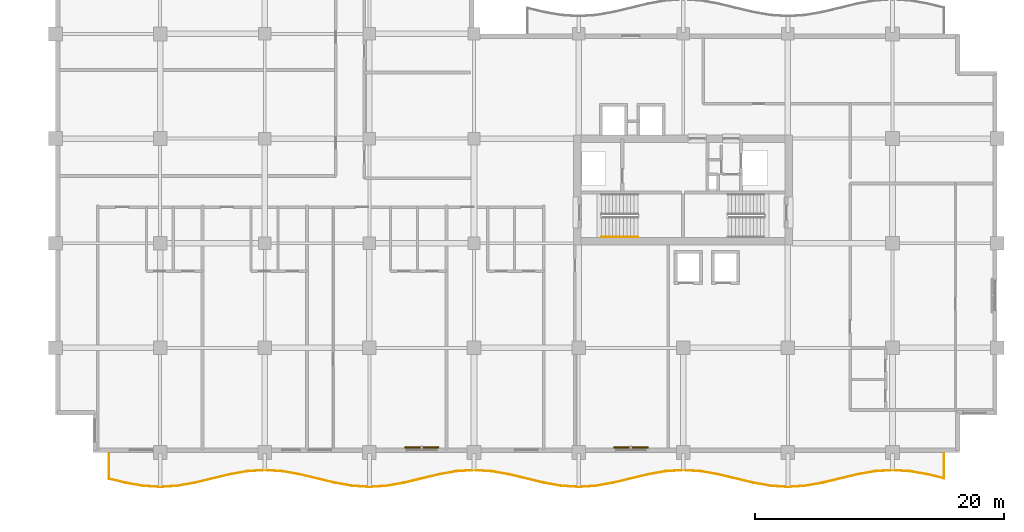
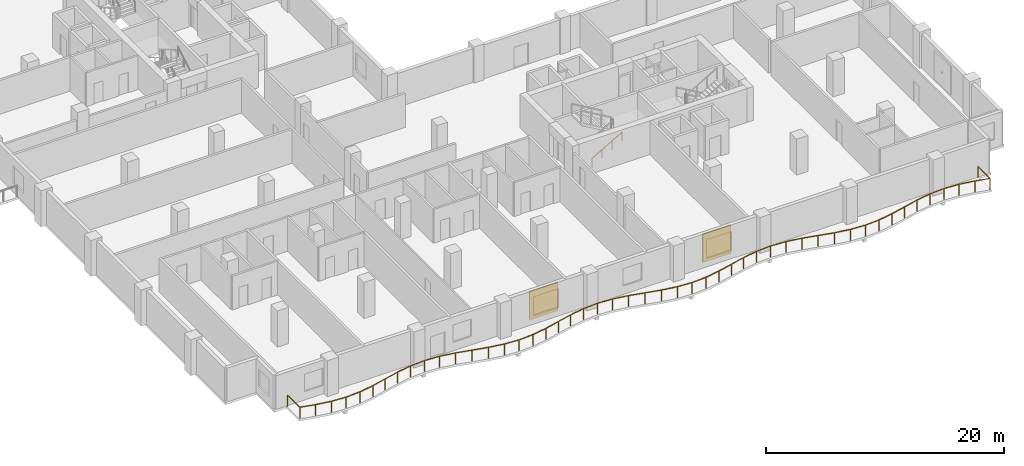
# One storey, part 15 of 18: 2 railings, 2 shading devices.
"""IFC4 building model written with IfcOpenShell, lengths in metres."""

from ifc_helpers import new_model, si_unit, direction, frame, origin, origin_2d, place, context, subcontext, project, spatial, rectangle, circle, extrude, material, layer, layer_set, type_object, element, save


model = new_model("IFC4")

# Units and contexts
model_context = context("Model", 3, precision=1e-05, world=origin(), true_north=direction((0.0, 1.0)))
body_context = subcontext(model_context, "Body", "Model", "MODEL_VIEW")
ifc_project = project(units=[si_unit("LENGTHUNIT", "METRE"), si_unit("AREAUNIT", "SQUARE_METRE"), si_unit("VOLUMEUNIT", "CUBIC_METRE"), si_unit("PLANEANGLEUNIT", "RADIAN"), si_unit("MASSUNIT", "GRAM", prefix="KILO")], contexts=[model_context])

# Site, building, storey
site_placement = place(None, origin())
site = spatial("IfcSite", under=ifc_project, at=site_placement, CompositionType="ELEMENT")
building_placement = place(site_placement, origin())
building = spatial("IfcBuilding", under=site, at=building_placement, Name="Koriwani Terraces Tower", CompositionType="ELEMENT")
storey_placement = place(building_placement, frame((0.0, 0.0, 205.0)))
storey = spatial("IfcBuildingStorey", under=building, at=storey_placement, Name="L50", CompositionType="ELEMENT", Elevation=205.0)

# Railings
ifc_material_1 = material(Name="Steel ASTM A572 Grade 50", Category="steel")
railing_type_1 = type_object("IfcRailingType", Name="GUARD_BALUSTRADE_1150", PredefinedType="BALUSTRADE", material=ifc_material_1)
railing_1_placement = place(storey_placement, frame((4.280029296875, -0.080078125, 0.0)))
element("IfcRailing", 1, at=railing_1_placement, inside=storey, type_object=railing_type_1, Name="L50 Balcony Perimeter Safety Balustrade (S)", PredefinedType="BALUSTRADE", context=body_context, shape_type="SweptSolid", body=[
    extrude(circle(Radius=0.02392578125, at=origin_2d()), frame((0.0, 0.0, 1.1259765625), z_axis=(0.0, -1.0, 0.0), x_axis=(1.0, 0.0, 0.0)), (0.0, 0.0, 1.0), 2.031982421875),
    extrude(circle(Radius=0.02392578125, at=origin_2d()), frame((0.0, -2.031982421875, 1.1259765625), z_axis=(0.972165971674, -0.23429324258, 0.0), x_axis=(0.23429324258, 0.972165971674, 0.0)), (0.0, 0.0, 1.0), 1.37451171875),
    extrude(circle(Radius=0.02392578125, at=origin_2d()), frame((1.336181640625, -2.35400390625, 1.1259765625), z_axis=(0.984757491153, -0.173932985997, 0.0), x_axis=(0.173932985997, 0.984757491153, 0.0)), (0.0, 0.0, 1.0), 1.414794921875),
    extrude(circle(Radius=0.02392578125, at=origin_2d()), frame((2.7294921875, -2.60009765625, 1.1259765625), z_axis=(0.997930027485, -0.064309099225, 0.0), x_axis=(0.064309099225, 0.997930027485, 0.0)), (0.0, 0.0, 1.0), 1.393310546875),
    extrude(circle(Radius=0.02392578125, at=origin_2d()), frame((4.119873046875, -2.689697265625, 1.1259765625), z_axis=(0.997930027485, 0.064309099225, 0.0), x_axis=(-0.064309099225, 0.997930027485, 0.0)), (0.0, 0.0, 1.0), 1.393310546875),
    extrude(circle(Radius=0.02392578125, at=origin_2d()), frame((5.51025390625, -2.60009765625, 1.1259765625), z_axis=(0.984757491153, 0.173932985997, 0.0), x_axis=(-0.173932985997, 0.984757491153, 0.0)), (0.0, 0.0, 1.0), 1.414794921875),
    extrude(circle(Radius=0.02392578125, at=origin_2d()), frame((6.903564453125, -2.35400390625, 1.1259765625), z_axis=(0.972166814785, 0.234289744186, 0.0), x_axis=(-0.234289744186, 0.972166814785, 0.0)), (0.0, 0.0, 1.0), 2.880126953125),
    extrude(circle(Radius=0.02392578125, at=origin_2d()), frame((9.70361328125, -1.67919921875, 1.1259765625), z_axis=(0.984778396698, 0.173814583381, 0.0), x_axis=(-0.173814583381, 0.984778396698, 0.0)), (0.0, 0.0, 1.0), 1.428466796875),
    extrude(circle(Radius=0.02392578125, at=origin_2d()), frame((11.1103515625, -1.430908203125, 1.1259765625), z_axis=(0.997931036226, 0.064293443969, 0.0), x_axis=(-0.064293443969, 0.997931036226, 0.0)), (0.0, 0.0, 1.0), 1.41259765625),
    extrude(circle(Radius=0.02392578125, at=origin_2d()), frame((12.52001953125, -1.340087890625, 1.1259765625), z_axis=(0.997930321615, -0.064304534842, 0.0), x_axis=(0.064304534842, 0.997930321615, 0.0)), (0.0, 0.0, 1.0), 1.412353515625),
    extrude(circle(Radius=0.02392578125, at=origin_2d()), frame((13.929443359375, -1.430908203125, 1.1259765625), z_axis=(0.984778396698, -0.173814583381, 0.0), x_axis=(0.173814583381, 0.984778396698, 0.0)), (0.0, 0.0, 1.0), 1.428466796875),
    extrude(circle(Radius=0.02392578125, at=origin_2d()), frame((15.336181640625, -1.67919921875, 1.1259765625), z_axis=(0.972166814785, -0.234289744186, 0.0), x_axis=(0.234289744186, 0.972166814785, 0.0)), (0.0, 0.0, 1.0), 2.880126953125),
    extrude(circle(Radius=0.02392578125, at=origin_2d()), frame((18.13623046875, -2.35400390625, 1.1259765625), z_axis=(0.984757491153, -0.173932985997, 0.0), x_axis=(0.173932985997, 0.984757491153, 0.0)), (0.0, 0.0, 1.0), 1.414794921875),
    extrude(circle(Radius=0.02392578125, at=origin_2d()), frame((19.529541015625, -2.60009765625, 1.1259765625), z_axis=(0.997930027485, -0.064309099225, 0.0), x_axis=(0.064309099225, 0.997930027485, 0.0)), (0.0, 0.0, 1.0), 1.393310546875),
    extrude(circle(Radius=0.02392578125, at=origin_2d()), frame((20.919921875, -2.689697265625, 1.1259765625), z_axis=(0.997930027485, 0.064309099225, 0.0), x_axis=(-0.064309099225, 0.997930027485, 0.0)), (0.0, 0.0, 1.0), 1.393310546875),
    extrude(circle(Radius=0.02392578125, at=origin_2d()), frame((22.310302734375, -2.60009765625, 1.1259765625), z_axis=(0.984757491153, 0.173932985997, 0.0), x_axis=(-0.173932985997, 0.984757491153, 0.0)), (0.0, 0.0, 1.0), 1.414794921875),
    extrude(circle(Radius=0.02392578125, at=origin_2d()), frame((23.70361328125, -2.35400390625, 1.1259765625), z_axis=(0.972166814785, 0.234289744186, 0.0), x_axis=(-0.234289744186, 0.972166814785, 0.0)), (0.0, 0.0, 1.0), 2.880126953125),
    extrude(circle(Radius=0.02392578125, at=origin_2d()), frame((26.503662109375, -1.67919921875, 1.1259765625), z_axis=(0.984778396698, 0.173814583381, 0.0), x_axis=(-0.173814583381, 0.984778396698, 0.0)), (0.0, 0.0, 1.0), 1.428466796875),
    extrude(circle(Radius=0.02392578125, at=origin_2d()), frame((27.910400390625, -1.430908203125, 1.1259765625), z_axis=(0.997931036226, 0.064293443969, 0.0), x_axis=(-0.064293443969, 0.997931036226, 0.0)), (0.0, 0.0, 1.0), 1.41259765625),
    extrude(circle(Radius=0.02392578125, at=origin_2d()), frame((29.320068359375, -1.340087890625, 1.1259765625), z_axis=(0.997930321615, -0.064304534842, 0.0), x_axis=(0.064304534842, 0.997930321615, 0.0)), (0.0, 0.0, 1.0), 1.412353515625),
    extrude(circle(Radius=0.02392578125, at=origin_2d()), frame((30.7294921875, -1.430908203125, 1.1259765625), z_axis=(0.984778396698, -0.173814583381, 0.0), x_axis=(0.173814583381, 0.984778396698, 0.0)), (0.0, 0.0, 1.0), 1.428466796875),
    extrude(circle(Radius=0.02392578125, at=origin_2d()), frame((32.13623046875, -1.67919921875, 1.1259765625), z_axis=(0.972166814785, -0.234289744186, 0.0), x_axis=(0.234289744186, 0.972166814785, 0.0)), (0.0, 0.0, 1.0), 2.880126953125),
    extrude(circle(Radius=0.02392578125, at=origin_2d()), frame((34.936279296875, -2.35400390625, 1.1259765625), z_axis=(0.984757491153, -0.173932985997, 0.0), x_axis=(0.173932985997, 0.984757491153, 0.0)), (0.0, 0.0, 1.0), 1.414794921875),
    extrude(circle(Radius=0.02392578125, at=origin_2d()), frame((36.32958984375, -2.60009765625, 1.1259765625), z_axis=(0.997930027485, -0.064309099225, 0.0), x_axis=(0.064309099225, 0.997930027485, 0.0)), (0.0, 0.0, 1.0), 1.393310546875),
    extrude(circle(Radius=0.02392578125, at=origin_2d()), frame((37.719970703125, -2.689697265625, 1.1259765625), z_axis=(0.997930027485, 0.064309099225, 0.0), x_axis=(-0.064309099225, 0.997930027485, 0.0)), (0.0, 0.0, 1.0), 1.393310546875),
    extrude(circle(Radius=0.02392578125, at=origin_2d()), frame((39.1103515625, -2.60009765625, 1.1259765625), z_axis=(0.984757491153, 0.173932985997, 0.0), x_axis=(-0.173932985997, 0.984757491153, 0.0)), (0.0, 0.0, 1.0), 1.414794921875),
    extrude(circle(Radius=0.02392578125, at=origin_2d()), frame((40.503662109375, -2.35400390625, 1.1259765625), z_axis=(0.972166814785, 0.234289744186, 0.0), x_axis=(-0.234289744186, 0.972166814785, 0.0)), (0.0, 0.0, 1.0), 2.880126953125),
    extrude(circle(Radius=0.02392578125, at=origin_2d()), frame((43.3037109375, -1.67919921875, 1.1259765625), z_axis=(0.984778396698, 0.173814583381, 0.0), x_axis=(-0.173814583381, 0.984778396698, 0.0)), (0.0, 0.0, 1.0), 1.428466796875),
    extrude(circle(Radius=0.02392578125, at=origin_2d()), frame((44.71044921875, -1.430908203125, 1.1259765625), z_axis=(0.997930321615, 0.064304534842, 0.0), x_axis=(-0.064304534842, 0.997930321615, 0.0)), (0.0, 0.0, 1.0), 1.412353515625),
    extrude(circle(Radius=0.02392578125, at=origin_2d()), frame((46.119873046875, -1.340087890625, 1.1259765625), z_axis=(0.997931036226, -0.064293443969, 0.0), x_axis=(0.064293443969, 0.997931036226, 0.0)), (0.0, 0.0, 1.0), 1.41259765625),
    extrude(circle(Radius=0.02392578125, at=origin_2d()), frame((47.529541015625, -1.430908203125, 1.1259765625), z_axis=(0.984778396698, -0.173814583381, 0.0), x_axis=(0.173814583381, 0.984778396698, 0.0)), (0.0, 0.0, 1.0), 1.428466796875),
    extrude(circle(Radius=0.02392578125, at=origin_2d()), frame((48.936279296875, -1.67919921875, 1.1259765625), z_axis=(0.972166814785, -0.234289744186, 0.0), x_axis=(0.234289744186, 0.972166814785, 0.0)), (0.0, 0.0, 1.0), 2.880126953125),
    extrude(circle(Radius=0.02392578125, at=origin_2d()), frame((51.736328125, -2.35400390625, 1.1259765625), z_axis=(0.984757491153, -0.173932985997, 0.0), x_axis=(0.173932985997, 0.984757491153, 0.0)), (0.0, 0.0, 1.0), 1.414794921875),
    extrude(circle(Radius=0.02392578125, at=origin_2d()), frame((53.129638671875, -2.60009765625, 1.1259765625), z_axis=(0.997930027485, -0.064309099225, 0.0), x_axis=(0.064309099225, 0.997930027485, 0.0)), (0.0, 0.0, 1.0), 1.393310546875),
    extrude(circle(Radius=0.02392578125, at=origin_2d()), frame((54.52001953125, -2.689697265625, 1.1259765625), z_axis=(0.997930027485, 0.064309099225, 0.0), x_axis=(-0.064309099225, 0.997930027485, 0.0)), (0.0, 0.0, 1.0), 1.393310546875),
    extrude(circle(Radius=0.02392578125, at=origin_2d()), frame((55.910400390625, -2.60009765625, 1.1259765625), z_axis=(0.984757491153, 0.173932985997, 0.0), x_axis=(-0.173932985997, 0.984757491153, 0.0)), (0.0, 0.0, 1.0), 1.414794921875),
    extrude(circle(Radius=0.02392578125, at=origin_2d()), frame((57.3037109375, -2.35400390625, 1.1259765625), z_axis=(0.972166814785, 0.234289744186, 0.0), x_axis=(-0.234289744186, 0.972166814785, 0.0)), (0.0, 0.0, 1.0), 2.880126953125),
    extrude(circle(Radius=0.02392578125, at=origin_2d()), frame((60.103759765625, -1.67919921875, 1.1259765625), z_axis=(0.984778396698, 0.173814583381, 0.0), x_axis=(-0.173814583381, 0.984778396698, 0.0)), (0.0, 0.0, 1.0), 1.428466796875),
    extrude(circle(Radius=0.02392578125, at=origin_2d()), frame((61.510498046875, -1.430908203125, 1.1259765625), z_axis=(0.997930321615, 0.064304534842, 0.0), x_axis=(-0.064304534842, 0.997930321615, 0.0)), (0.0, 0.0, 1.0), 1.412353515625),
    extrude(circle(Radius=0.02392578125, at=origin_2d()), frame((62.919921875, -1.340087890625, 1.1259765625), z_axis=(0.997931036226, -0.064293443969, 0.0), x_axis=(0.064293443969, 0.997931036226, 0.0)), (0.0, 0.0, 1.0), 1.41259765625),
    extrude(circle(Radius=0.02392578125, at=origin_2d()), frame((64.32958984375, -1.430908203125, 1.1259765625), z_axis=(0.984778396698, -0.173814583381, 0.0), x_axis=(0.173814583381, 0.984778396698, 0.0)), (0.0, 0.0, 1.0), 1.428466796875),
    extrude(circle(Radius=0.02392578125, at=origin_2d()), frame((65.736328125, -1.67919921875, 1.1259765625), z_axis=(0.972163766848, -0.234302390999, 0.0), x_axis=(0.234302390999, 0.972163766848, 0.0)), (0.0, 0.0, 1.0), 1.341064453125),
    extrude(circle(Radius=0.02392578125, at=origin_2d()), frame((67.0400390625, -1.993408203125, 1.1259765625), z_axis=(0.0, 1.0, 0.0), x_axis=(-1.0, 0.0, 0.0)), (0.0, 0.0, 1.0), 1.993408203125),
    extrude(circle(Radius=0.02099609375, at=origin_2d()), origin(), (0.0, 0.0, 1.0), 1.101806640625),
    extrude(circle(Radius=0.02099609375, at=origin_2d()), frame((0.0, -2.031982421875, 0.0)), (0.0, 0.0, 1.0), 1.101806640625),
    extrude(circle(Radius=0.02099609375, at=origin_2d()), frame((1.336181640625, -2.35400390625, 0.0)), (0.0, 0.0, 1.0), 1.101806640625),
    extrude(circle(Radius=0.02099609375, at=origin_2d()), frame((2.7294921875, -2.60009765625, 0.0)), (0.0, 0.0, 1.0), 1.101806640625),
    extrude(circle(Radius=0.02099609375, at=origin_2d()), frame((4.119873046875, -2.689697265625, 0.0)), (0.0, 0.0, 1.0), 1.101806640625),
    extrude(circle(Radius=0.02099609375, at=origin_2d()), frame((5.51025390625, -2.60009765625, 0.0)), (0.0, 0.0, 1.0), 1.101806640625),
    extrude(circle(Radius=0.02099609375, at=origin_2d()), frame((6.903564453125, -2.35400390625, 0.0)), (0.0, 0.0, 1.0), 1.101806640625),
    extrude(circle(Radius=0.02099609375, at=origin_2d()), frame((8.3037109375, -2.0166015625, 0.0)), (0.0, 0.0, 1.0), 1.101806640625),
    extrude(circle(Radius=0.02099609375, at=origin_2d()), frame((9.70361328125, -1.67919921875, 0.0)), (0.0, 0.0, 1.0), 1.101806640625),
    extrude(circle(Radius=0.02099609375, at=origin_2d()), frame((11.1103515625, -1.430908203125, 0.0)), (0.0, 0.0, 1.0), 1.101806640625),
    extrude(circle(Radius=0.02099609375, at=origin_2d()), frame((12.52001953125, -1.340087890625, 0.0)), (0.0, 0.0, 1.0), 1.101806640625),
    extrude(circle(Radius=0.02099609375, at=origin_2d()), frame((13.929443359375, -1.430908203125, 0.0)), (0.0, 0.0, 1.0), 1.101806640625),
    extrude(circle(Radius=0.02099609375, at=origin_2d()), frame((15.336181640625, -1.67919921875, 0.0)), (0.0, 0.0, 1.0), 1.101806640625),
    extrude(circle(Radius=0.02099609375, at=origin_2d()), frame((16.736328125, -2.0166015625, 0.0)), (0.0, 0.0, 1.0), 1.101806640625),
    extrude(circle(Radius=0.02099609375, at=origin_2d()), frame((18.13623046875, -2.35400390625, 0.0)), (0.0, 0.0, 1.0), 1.101806640625),
    extrude(circle(Radius=0.02099609375, at=origin_2d()), frame((19.529541015625, -2.60009765625, 0.0)), (0.0, 0.0, 1.0), 1.101806640625),
    extrude(circle(Radius=0.02099609375, at=origin_2d()), frame((20.919921875, -2.689697265625, 0.0)), (0.0, 0.0, 1.0), 1.101806640625),
    extrude(circle(Radius=0.02099609375, at=origin_2d()), frame((22.310302734375, -2.60009765625, 0.0)), (0.0, 0.0, 1.0), 1.101806640625),
    extrude(circle(Radius=0.02099609375, at=origin_2d()), frame((23.70361328125, -2.35400390625, 0.0)), (0.0, 0.0, 1.0), 1.101806640625),
    extrude(circle(Radius=0.02099609375, at=origin_2d()), frame((25.103515625, -2.0166015625, 0.0)), (0.0, 0.0, 1.0), 1.101806640625),
    extrude(circle(Radius=0.02099609375, at=origin_2d()), frame((26.503662109375, -1.67919921875, 0.0)), (0.0, 0.0, 1.0), 1.101806640625),
    extrude(circle(Radius=0.02099609375, at=origin_2d()), frame((27.910400390625, -1.430908203125, 0.0)), (0.0, 0.0, 1.0), 1.101806640625),
    extrude(circle(Radius=0.02099609375, at=origin_2d()), frame((29.320068359375, -1.340087890625, 0.0)), (0.0, 0.0, 1.0), 1.101806640625),
    extrude(circle(Radius=0.02099609375, at=origin_2d()), frame((30.7294921875, -1.430908203125, 0.0)), (0.0, 0.0, 1.0), 1.101806640625),
    extrude(circle(Radius=0.02099609375, at=origin_2d()), frame((32.13623046875, -1.67919921875, 0.0)), (0.0, 0.0, 1.0), 1.101806640625),
    extrude(circle(Radius=0.02099609375, at=origin_2d()), frame((33.5361328125, -2.0166015625, 0.0)), (0.0, 0.0, 1.0), 1.101806640625),
    extrude(circle(Radius=0.02099609375, at=origin_2d()), frame((34.936279296875, -2.35400390625, 0.0)), (0.0, 0.0, 1.0), 1.101806640625),
    extrude(circle(Radius=0.02099609375, at=origin_2d()), frame((36.32958984375, -2.60009765625, 0.0)), (0.0, 0.0, 1.0), 1.101806640625),
    extrude(circle(Radius=0.02099609375, at=origin_2d()), frame((37.719970703125, -2.689697265625, 0.0)), (0.0, 0.0, 1.0), 1.101806640625),
    extrude(circle(Radius=0.02099609375, at=origin_2d()), frame((39.1103515625, -2.60009765625, 0.0)), (0.0, 0.0, 1.0), 1.101806640625),
    extrude(circle(Radius=0.02099609375, at=origin_2d()), frame((40.503662109375, -2.35400390625, 0.0)), (0.0, 0.0, 1.0), 1.101806640625),
    extrude(circle(Radius=0.02099609375, at=origin_2d()), frame((41.90380859375, -2.0166015625, 0.0)), (0.0, 0.0, 1.0), 1.101806640625),
    extrude(circle(Radius=0.02099609375, at=origin_2d()), frame((43.3037109375, -1.67919921875, 0.0)), (0.0, 0.0, 1.0), 1.101806640625),
    extrude(circle(Radius=0.02099609375, at=origin_2d()), frame((44.71044921875, -1.430908203125, 0.0)), (0.0, 0.0, 1.0), 1.101806640625),
    extrude(circle(Radius=0.02099609375, at=origin_2d()), frame((46.119873046875, -1.340087890625, 0.0)), (0.0, 0.0, 1.0), 1.101806640625),
    extrude(circle(Radius=0.02099609375, at=origin_2d()), frame((47.529541015625, -1.430908203125, 0.0)), (0.0, 0.0, 1.0), 1.101806640625),
    extrude(circle(Radius=0.02099609375, at=origin_2d()), frame((48.936279296875, -1.67919921875, 0.0)), (0.0, 0.0, 1.0), 1.101806640625),
    extrude(circle(Radius=0.02099609375, at=origin_2d()), frame((50.33642578125, -2.0166015625, 0.0)), (0.0, 0.0, 1.0), 1.101806640625),
    extrude(circle(Radius=0.02099609375, at=origin_2d()), frame((51.736328125, -2.35400390625, 0.0)), (0.0, 0.0, 1.0), 1.101806640625),
    extrude(circle(Radius=0.02099609375, at=origin_2d()), frame((53.129638671875, -2.60009765625, 0.0)), (0.0, 0.0, 1.0), 1.101806640625),
    extrude(circle(Radius=0.02099609375, at=origin_2d()), frame((54.52001953125, -2.689697265625, 0.0)), (0.0, 0.0, 1.0), 1.101806640625),
    extrude(circle(Radius=0.02099609375, at=origin_2d()), frame((55.910400390625, -2.60009765625, 0.0)), (0.0, 0.0, 1.0), 1.101806640625),
    extrude(circle(Radius=0.02099609375, at=origin_2d()), frame((57.3037109375, -2.35400390625, 0.0)), (0.0, 0.0, 1.0), 1.101806640625),
    extrude(circle(Radius=0.02099609375, at=origin_2d()), frame((58.70361328125, -2.0166015625, 0.0)), (0.0, 0.0, 1.0), 1.101806640625),
    extrude(circle(Radius=0.02099609375, at=origin_2d()), frame((60.103759765625, -1.67919921875, 0.0)), (0.0, 0.0, 1.0), 1.101806640625),
    extrude(circle(Radius=0.02099609375, at=origin_2d()), frame((61.510498046875, -1.430908203125, 0.0)), (0.0, 0.0, 1.0), 1.101806640625),
    extrude(circle(Radius=0.02099609375, at=origin_2d()), frame((62.919921875, -1.340087890625, 0.0)), (0.0, 0.0, 1.0), 1.101806640625),
    extrude(circle(Radius=0.02099609375, at=origin_2d()), frame((64.32958984375, -1.430908203125, 0.0)), (0.0, 0.0, 1.0), 1.101806640625),
    extrude(circle(Radius=0.02099609375, at=origin_2d()), frame((65.736328125, -1.67919921875, 0.0)), (0.0, 0.0, 1.0), 1.101806640625),
    extrude(circle(Radius=0.02099609375, at=origin_2d()), frame((67.0400390625, -1.993408203125, 0.0)), (0.0, 0.0, 1.0), 1.101806640625),
    extrude(circle(Radius=0.02099609375, at=origin_2d()), frame((67.0400390625, 0.0, 0.0)), (0.0, 0.0, 1.0), 1.101806640625),
])
railing_type_2 = type_object("IfcRailingType", Name="HANDRAIL_STAIR_920", PredefinedType="HANDRAIL", material=ifc_material_1)
railing_2_placement = place(storey_placement, frame((43.85009765625, 17.300048828125, 0.168212890625)))
element("IfcRailing", 2, at=railing_2_placement, inside=storey, type_object=railing_type_2, Name="L50 ST-E1 stair handrail 1", PredefinedType="HANDRAIL", context=body_context, shape_type="SweptSolid", body=[
    extrude(circle(Radius=0.02392578125, at=origin_2d()), frame((0.0, 0.0, 0.8759765625), z_axis=(0.865038774852, 0.0, 0.501705010941), x_axis=(0.0, 1.0, 0.0)), (0.0, 0.0, 1.0), 3.352294921875),
    extrude(circle(Radius=0.02099609375, at=origin_2d()), origin(), (0.0, 0.0, 1.0), 0.851806640625),
    extrude(circle(Radius=0.02099609375, at=origin_2d()), frame((0.966552734375, 0.0, 0.560546875)), (0.0, 0.0, 1.0), 0.851806640625),
    extrude(circle(Radius=0.02099609375, at=origin_2d()), frame((1.933349609375, 0.0, 1.121337890625)), (0.0, 0.0, 1.0), 0.851806640625),
    extrude(circle(Radius=0.02099609375, at=origin_2d()), frame((2.89990234375, 0.0, 1.681884765625)), (0.0, 0.0, 1.0), 0.851806640625),
])

# Shading devices
ifc_material_2 = material(Name="Extruded Terracotta Clay", Category="masonry")
ifc_layer = layer(ifc_material_2, 0.1201171875, Name="Extruded Terracotta Clay")
ifc_layer_set = layer_set([ifc_layer], Name="Extruded Terracotta Clay")
shading_device_type = type_object("IfcShadingDeviceType", Name="TERRACOTTA_BAGUETTE_SCREEN_2800", PredefinedType="USERDEFINED", material=ifc_layer_set)
for number, where, z_axis, x_axis, name in (
    (3, (29.39990234375, 0.405029296875, 0.28515625), (0.0, 0.0, 1.0), (-1.0, 0.0, 0.0), "L50 Extruded Terracotta Baguette Screen (S-9)"),
    (4, (46.199951171875, 0.405029296875, 0.28515625), (0.0, 0.0, 1.0), (-1.0, 0.0, 0.0), "L50 Extruded Terracotta Baguette Screen (S-15)"),
):
    element("IfcShadingDevice", number, at=place(storey_placement, frame(where, z_axis=z_axis, x_axis=x_axis)), inside=storey, type_object=shading_device_type, Name=name, ObjectType="BAGUETTE", PredefinedType="USERDEFINED", context=body_context, shape_type="SweptSolid", body=[
        extrude(rectangle(XDim=2.760009765625, YDim=0.1201171875, at=origin_2d()), origin(), (0.0, 0.0, 1.0), 2.89990234375),
    ])

save(model, "model.ifc")
